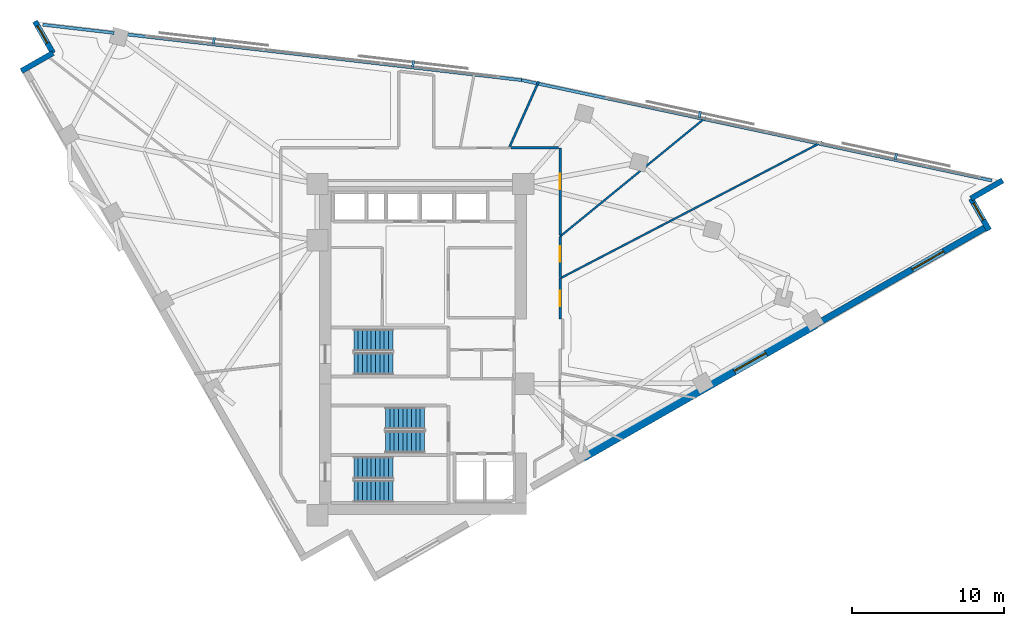
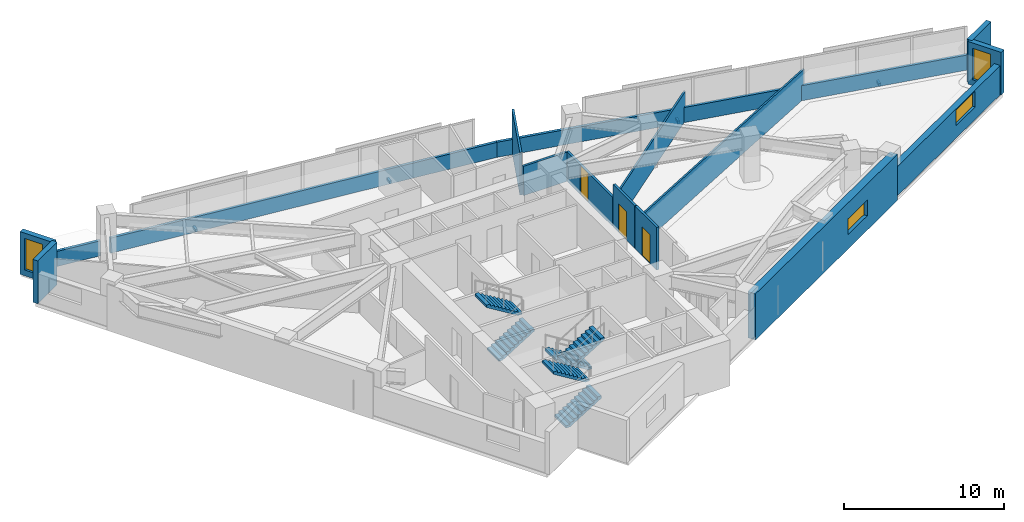
# One storey, part 11 of 13: 16 walls, 6 stair flights, 4 discrete accessories, 4 windows, 3 doors, 7 openings, 3 elements without a shape of their own.
"""IFC4 building model written with IfcOpenShell, lengths in metres."""

from ifc_helpers import new_model, si_unit, direction, frame, frame_2d, origin, origin_2d, place, context, subcontext, project, spatial, polyline, rectangle, outline, extrude, material, layer, layer_set, type_object, element, fill, aggregate, save


model = new_model("IFC4")

# Units and contexts
model_context = context("Model", 3, precision=1e-05, world=origin(), true_north=direction((0.0, 1.0)))
body_context = subcontext(model_context, "Body", "Model", "MODEL_VIEW")
ifc_project = project(units=[si_unit("LENGTHUNIT", "METRE"), si_unit("AREAUNIT", "SQUARE_METRE"), si_unit("VOLUMEUNIT", "CUBIC_METRE"), si_unit("PLANEANGLEUNIT", "RADIAN"), si_unit("MASSUNIT", "GRAM", prefix="KILO")], contexts=[model_context])

# Site, building, storey
site_placement = place(None, origin())
site = spatial("IfcSite", under=ifc_project, at=site_placement, CompositionType="ELEMENT")
building_placement = place(site_placement, origin())
building = spatial("IfcBuilding", under=site, at=building_placement, Name="Narakoshi Arena Tower", CompositionType="ELEMENT")
storey_placement = place(building_placement, frame((0.0, 0.0, 229.06005859375)))
storey = spatial("IfcBuildingStorey", under=building, at=storey_placement, Name="L62", CompositionType="ELEMENT", Elevation=229.06005859375)

# Wall, opening, door
ifc_material_1 = material(Name="Gypsum plasterboard fire-rated partition")
ifc_layer_1 = layer(ifc_material_1, 0.1650390625)
ifc_layer_set_1 = layer_set([ifc_layer_1], Name="Gypsum plasterboard fire-rated partition")
wall_type_1 = type_object("IfcWallType", Name="WL-CORR-165", PredefinedType="PARTITIONING", material=ifc_layer_set_1)
wall_1_placement = place(storey_placement, frame((87.976318359375, 47.6201171875, 0.0), z_axis=(0.0, 0.0, 1.0), x_axis=(0.0, 1.0, 0.0)))
wall_1 = element("IfcWall", 1, at=wall_1_placement, inside=storey, type_object=wall_type_1, Name="L62 Corridor Partition 03-1", PredefinedType="PARTITIONING", context=body_context, shape_type="SweptSolid", body=[
    extrude(rectangle(XDim=2.7001953125, YDim=0.1650390625, at=frame_2d((1.35009765625, 0.0))), origin(), (0.0, 0.0, 1.0), 3.260009765625),
])
opening_1_placement = place(wall_1_placement, frame((0.85009765625, 0.0, 0.0)))
opening_1 = element("IfcOpeningElement", 2, at=opening_1_placement, cuts=wall_1, Name="Opening D-06", PredefinedType="OPENING", context=body_context, shape_type="SweptSolid", body=[
    extrude(rectangle(XDim=1.0, YDim=2.199951171875, at=frame_2d((0.5, 1.10009765625))), frame((0.0, 0.092529296875, 0.0), z_axis=(0.0, -1.0, 0.0), x_axis=(1.0, 0.0, 0.0)), (0.0, 0.0, 1.0), 0.18505859375),
])
ifc_material_2 = material(Name="Stained oak solid-core timber", Category="wood")
door_type = type_object("IfcDoorType", Name="DR-OFF-1000", OperationType="NOTDEFINED", PredefinedType="DOOR", material=ifc_material_2)
door_1_placement = place(opening_1_placement, frame((1.0, 0.0, 0.0), z_axis=(0.0, 0.0, 1.0), x_axis=(-1.0, 0.0, 0.0)))
door_1 = element("IfcDoor", 3, at=door_1_placement, inside=storey, type_object=door_type, Name="DR-L62-017", OperationType="SINGLE_SWING_RIGHT", OverallHeight=2.199951171875, OverallWidth=1.0, PredefinedType="DOOR", context=body_context, shape_type="SweptSolid", body=[
    extrude(rectangle(XDim=1.0, YDim=2.199951171875, at=frame_2d((0.5, 1.10009765625))), frame((0.0, 0.02490234375, 0.0), z_axis=(0.0, -1.0, 0.0), x_axis=(1.0, 0.0, 0.0)), (0.0, 0.0, 1.0), 0.050048828125),
])
fill(opening_1, door_1)

wall_2_placement = place(storey_placement, frame((87.976318359375, 50.347412109375, 0.0), z_axis=(0.0, 0.0, 1.0), x_axis=(0.0, 1.0, 0.0)))
wall_2 = element("IfcWall", 4, at=wall_2_placement, inside=storey, type_object=wall_type_1, Name="L62 Corridor Partition 05-1", PredefinedType="PARTITIONING", context=body_context, shape_type="SweptSolid", body=[
    extrude(rectangle(XDim=2.7001953125, YDim=0.1650390625, at=frame_2d((1.35009765625, 0.0))), origin(), (0.0, 0.0, 1.0), 3.260009765625),
])
opening_2_placement = place(wall_2_placement, frame((1.045166015625, 0.0, 0.0)))
opening_2 = element("IfcOpeningElement", 5, at=opening_2_placement, cuts=wall_2, Name="Opening D-06", PredefinedType="OPENING", context=body_context, shape_type="SweptSolid", body=[
    extrude(rectangle(XDim=1.0, YDim=2.199951171875, at=frame_2d((0.5, 1.10009765625))), frame((0.0, 0.092529296875, 0.0), z_axis=(0.0, -1.0, 0.0), x_axis=(1.0, 0.0, 0.0)), (0.0, 0.0, 1.0), 0.18505859375),
])
door_2_placement = place(opening_2_placement, frame((1.0, 0.0, 0.0), z_axis=(0.0, 0.0, 1.0), x_axis=(-1.0, 0.0, 0.0)))
door_2 = element("IfcDoor", 6, at=door_2_placement, inside=storey, type_object=door_type, Name="DR-L62-019", OperationType="SINGLE_SWING_RIGHT", OverallHeight=2.199951171875, OverallWidth=1.0, PredefinedType="DOOR", context=body_context, shape_type="SweptSolid", body=[
    extrude(rectangle(XDim=1.0, YDim=2.199951171875, at=frame_2d((0.5, 1.10009765625))), frame((0.0, 0.02490234375, 0.0), z_axis=(0.0, -1.0, 0.0), x_axis=(1.0, 0.0, 0.0)), (0.0, 0.0, 1.0), 0.050048828125),
])
fill(opening_2, door_2)

wall_3_placement = place(storey_placement, frame((87.976318359375, 53.143798828125, 0.0), z_axis=(0.0, 0.0, 1.0), x_axis=(0.0, 1.0, 0.0)))
wall_3 = element("IfcWall", 7, at=wall_3_placement, inside=storey, type_object=wall_type_1, Name="L62 Corridor Partition 07-1", PredefinedType="PARTITIONING", context=body_context, shape_type="SweptSolid", body=[
    extrude(rectangle(XDim=5.732666015625, YDim=0.1650390625, at=frame_2d((2.8662109375, 0.0))), origin(), (0.0, 0.0, 1.0), 2.237060546875),
])
opening_3_placement = place(wall_3_placement, frame((3.01611328125, 0.0, 0.0)))
opening_3 = element("IfcOpeningElement", 8, at=opening_3_placement, cuts=wall_3, Name="Opening D-06", PredefinedType="OPENING", context=body_context, shape_type="SweptSolid", body=[
    extrude(rectangle(XDim=1.0, YDim=2.199951171875, at=frame_2d((0.5, 1.10009765625))), frame((0.0, 0.092529296875, 0.0), z_axis=(0.0, -1.0, 0.0), x_axis=(1.0, 0.0, 0.0)), (0.0, 0.0, 1.0), 0.18505859375),
])
door_3_placement = place(opening_3_placement, frame((1.0, 0.0, 0.0), z_axis=(0.0, 0.0, 1.0), x_axis=(-1.0, 0.0, 0.0)))
door_3 = element("IfcDoor", 9, at=door_3_placement, inside=storey, type_object=door_type, Name="DR-L62-021", OperationType="SINGLE_SWING_RIGHT", OverallHeight=2.199951171875, OverallWidth=1.0, PredefinedType="DOOR", context=body_context, shape_type="SweptSolid", body=[
    extrude(rectangle(XDim=1.0, YDim=2.199951171875, at=frame_2d((0.5, 1.10009765625))), frame((0.0, 0.02490234375, 0.0), z_axis=(0.0, -1.0, 0.0), x_axis=(1.0, 0.0, 0.0)), (0.0, 0.0, 1.0), 0.050048828125),
])
fill(opening_3, door_3)

# Wall
wall_4_placement = place(storey_placement, frame((87.8818359375, 58.87646484375, 0.0), z_axis=(0.0, 0.0, 1.0), x_axis=(-1.0, 0.0, 0.0)))
element("IfcWall", 10, at=wall_4_placement, inside=storey, type_object=wall_type_1, Name="L62 Corridor Partition 07-2", PredefinedType="PARTITIONING", context=body_context, shape_type="SweptSolid", body=[
    extrude(rectangle(XDim=3.135986328125, YDim=0.1650390625, at=frame_2d((1.56787109375, 0.0))), origin(), (0.0, 0.0, 1.0), 2.237060546875),
])

# Wall, opening, window
ifc_material_3 = material(Name="Concrete C50/60", Category="concrete")
ifc_layer_2 = layer(ifc_material_3, 0.550048828125)
ifc_layer_set_2 = layer_set([ifc_layer_2], Name="Concrete C50/60")
wall_type_2 = type_object("IfcWallType", Name="WL-LEG-550", PredefinedType="SHEAR", material=ifc_layer_set_2)
wall_5_placement = place(storey_placement, frame((89.479248046875, 38.4990234375, -0.260009765625), z_axis=(0.0, 0.0, 1.0), x_axis=(0.868197136736, 0.496219439123, 0.0)))
wall_5 = element("IfcWall", 11, at=wall_5_placement, inside=storey, type_object=wall_type_2, Name="L62 Architectural Concrete Structural Wall LEGA-3", PredefinedType="SHEAR", context=body_context, shape_type="SweptSolid", body=[
    extrude(rectangle(XDim=17.63623046875, YDim=0.550048828125, at=frame_2d((8.818115234375, 0.0))), origin(), (0.0, 0.0, 1.0), 3.52001953125),
])
opening_4_placement = place(wall_5_placement, frame((11.463623046875, 0.0, 1.10009765625)))
opening_4 = element("IfcOpeningElement", 12, at=opening_4_placement, cuts=wall_5, Name="Opening WN-04", PredefinedType="OPENING", context=body_context, shape_type="SweptSolid", body=[
    extrude(rectangle(XDim=2.39990234375, YDim=1.199951171875, at=frame_2d((1.199951171875, 0.60009765625))), frame((0.0, 0.284912109375, 0.0), z_axis=(0.0, -1.0, 0.0), x_axis=(1.0, 0.0, 0.0)), (0.0, 0.0, 1.0), 0.570068359375),
])
ifc_material_4 = material(Name="Bronze-tinted low-E laminated glass", Category="glass")
window_type_1 = type_object("IfcWindowType", Name="WIN-SLT-24x12", PartitioningType="SINGLE_PANEL", PredefinedType="WINDOW", material=ifc_material_4)
window_1_placement = place(opening_4_placement, origin())
window_1 = element("IfcWindow", 13, at=window_1_placement, inside=storey, type_object=window_type_1, Name="L62 LEGA3 Horizontal Slot Window 1", OverallHeight=1.199951171875, OverallWidth=2.39990234375, PartitioningType="SINGLE_PANEL", PredefinedType="WINDOW", context=body_context, shape_type="SweptSolid", body=[
    extrude(rectangle(XDim=2.39990234375, YDim=1.199951171875, at=frame_2d((1.199951171875, 0.60009765625))), frame((0.0, 0.030029296875, 0.0), z_axis=(0.0, -1.0, 0.0), x_axis=(1.0, 0.0, 0.0)), (0.0, 0.0, 1.0), 0.06005859375),
])
fill(opening_4, window_1)

# Walls
ifc_material_5 = material(Name="Precast concrete C45/55", Category="concrete")
ifc_layer_3 = layer(ifc_material_5, 0.25)
ifc_layer_set_3 = layer_set([ifc_layer_3], Name="Precast concrete C45/55")
wall_type_3 = type_object("IfcWallType", Name="WL-PARA-250", PredefinedType="PARAPET", material=ifc_layer_set_3)
wall_6_placement = place(storey_placement, frame((116.3955078125, 56.7216796875, 0.0), z_axis=(0.0, 0.0, 1.0), x_axis=(-0.977936620644, 0.208901809478, 0.0)))
element("IfcWall", 14, at=wall_6_placement, inside=storey, type_object=wall_type_3, Name="L62 Hypotenuse Sill Upstand Parapet 1-01", PredefinedType="PARAPET", context=body_context, shape_type="SweptSolid", body=[
    extrude(rectangle(XDim=31.685302734375, YDim=0.199951171875, at=frame_2d((15.8427734375, 0.0))), origin(), (0.0, 0.0, 1.0), 1.14990234375),
])
wall_7_placement = place(storey_placement, frame((85.42431640625, 63.33837890625, 0.0), z_axis=(0.0, 0.0, 1.0), x_axis=(-0.993364714048, 0.115006716693, 0.0)))
element("IfcWall", 15, at=wall_7_placement, inside=storey, type_object=wall_type_3, Name="L62 Hypotenuse Sill Upstand Parapet 2-01", PredefinedType="PARAPET", context=body_context, shape_type="SweptSolid", body=[
    extrude(rectangle(XDim=26.302001953125, YDim=0.199951171875, at=frame_2d((13.15087890625, 0.0))), origin(), (0.0, 0.0, 1.0), 1.14990234375),
])
wall_8_placement = place(storey_placement, frame((58.621826171875, 66.44140625, 0.0), z_axis=(0.0, 0.0, 1.0), x_axis=(-0.993362937665, 0.115022059074, 0.0)))
element("IfcWall", 16, at=wall_8_placement, inside=storey, type_object=wall_type_3, Name="L62 Hypotenuse Sill Upstand Parapet 2-02", PredefinedType="PARAPET", context=body_context, shape_type="SweptSolid", body=[
    extrude(rectangle(XDim=4.72705078125, YDim=0.199951171875, at=frame_2d((2.363525390625, 0.0))), origin(), (0.0, 0.0, 1.0), 1.14990234375),
])
ifc_layer_4 = layer(ifc_material_1, 0.125)
ifc_layer_set_4 = layer_set([ifc_layer_4], Name="Gypsum plasterboard fire-rated partition")
wall_type_4 = type_object("IfcWallType", Name="WL-PART-125", PredefinedType="PARTITIONING", material=ifc_layer_set_4)
wall_9_placement = place(storey_placement, frame((88.03955078125, 50.3203125, 0.0), z_axis=(0.0, 0.0, 1.0), x_axis=(0.886887733798, 0.461985008023, 0.0)))
element("IfcWall", 17, at=wall_9_placement, inside=storey, type_object=wall_type_4, Name="L62 Inter-Room Partition 03-05", PredefinedType="PARTITIONING", context=body_context, shape_type="SweptSolid", body=[
    extrude(rectangle(XDim=19.3759765625, YDim=0.125, at=frame_2d((9.68798828125, 0.0))), origin(), (0.0, 0.0, 1.0), 2.237060546875),
])
wall_10_placement = place(storey_placement, frame((87.976318359375, 53.047607421875, 0.0), z_axis=(0.0, 0.0, 1.0), x_axis=(0.774410079036, 0.632683988645, 0.0)))
element("IfcWall", 18, at=wall_10_placement, inside=storey, type_object=wall_type_4, Name="L62 Inter-Room Partition 05-07", PredefinedType="PARTITIONING", context=body_context, shape_type="SweptSolid", body=[
    extrude(rectangle(XDim=12.4150390625, YDim=0.125, at=frame_2d((6.20751953125, 0.0))), origin(), (0.0, 0.0, 1.0), 2.237060546875),
])

# Wall, opening, window
ifc_layer_5 = layer(ifc_material_5, 0.419921875)
ifc_layer_set_5 = layer_set([ifc_layer_5], Name="Precast concrete C45/55")
wall_type_5 = type_object("IfcWallType", Name="WL-POD-420", PredefinedType="SOLIDWALL", material=ifc_layer_set_5)
wall_11_placement = place(storey_placement, frame((104.791015625, 47.25048828125, 0.0), z_axis=(0.0, 0.0, 1.0), x_axis=(0.868193423982, 0.496225934987, 0.0)))
wall_11 = element("IfcWall", 19, at=wall_11_placement, inside=storey, type_object=wall_type_5, Name="L62 Architectural Concrete Facade Wall LEGA-4", PredefinedType="SOLIDWALL", context=body_context, shape_type="SweptSolid", body=[
    extrude(rectangle(XDim=12.9951171875, YDim=0.419921875, at=frame_2d((6.49755859375, 0.0))), origin(), (0.0, 0.0, 1.0), 2.237060546875),
])
opening_5_placement = place(wall_11_placement, frame((7.309814453125, 0.0, 0.95703125)))
opening_5 = element("IfcOpeningElement", 20, at=opening_5_placement, cuts=wall_11, Name="Opening WN-04", PredefinedType="OPENING", context=body_context, shape_type="SweptSolid", body=[
    extrude(rectangle(XDim=2.39990234375, YDim=1.199951171875, at=frame_2d((1.199951171875, 0.60009765625))), frame((0.0, 0.219970703125, 0.0), z_axis=(0.0, -1.0, 0.0), x_axis=(1.0, 0.0, 0.0)), (0.0, 0.0, 1.0), 0.43994140625),
])
window_2_placement = place(opening_5_placement, origin())
window_2 = element("IfcWindow", 21, at=window_2_placement, inside=storey, type_object=window_type_1, Name="L62 LEGA4 Horizontal Slot Window 1", OverallHeight=1.199951171875, OverallWidth=2.39990234375, PartitioningType="SINGLE_PANEL", PredefinedType="WINDOW", context=body_context, shape_type="SweptSolid", body=[
    extrude(rectangle(XDim=2.39990234375, YDim=1.199951171875, at=frame_2d((1.199951171875, 0.60009765625))), frame((0.0, 0.030029296875, 0.0), z_axis=(0.0, -1.0, 0.0), x_axis=(1.0, 0.0, 0.0)), (0.0, 0.0, 1.0), 0.06005859375),
])
fill(opening_5, window_2)

wall_12_placement = place(storey_placement, frame((116.209716796875, 53.460205078125, 0.0), z_axis=(0.0, 0.0, 1.0), x_axis=(-0.496215637313, 0.868199309655, 0.0)))
wall_12 = element("IfcWall", 22, at=wall_12_placement, inside=storey, type_object=wall_type_5, Name="L62 Re-Entrant Corner Notch Wall NTE-1", PredefinedType="SOLIDWALL", context=body_context, shape_type="SweptSolid", body=[
    extrude(rectangle(XDim=2.3994140625, YDim=0.360107421875, at=frame_2d((1.19970703125, 0.0))), origin(), (0.0, 0.0, 1.0), 3.260009765625),
])
opening_6_placement = place(wall_12_placement, frame((0.759765625, 0.0, 0.449951171875)))
opening_6 = element("IfcOpeningElement", 23, at=opening_6_placement, cuts=wall_12, Name="Opening WN-06", PredefinedType="OPENING", context=body_context, shape_type="SweptSolid", body=[
    extrude(rectangle(XDim=1.300048828125, YDim=2.39990234375, at=frame_2d((0.64990234375, 1.199951171875))), frame((0.0, 0.18994140625, 0.0), z_axis=(0.0, -1.0, 0.0), x_axis=(1.0, 0.0, 0.0)), (0.0, 0.0, 1.0), 0.380126953125),
])
window_type_2 = type_object("IfcWindowType", Name="WIN-NTC-16x24", PartitioningType="SINGLE_PANEL", PredefinedType="WINDOW", material=ifc_material_4)
window_3_placement = place(opening_6_placement, origin())
window_3 = element("IfcWindow", 24, at=window_3_placement, inside=storey, type_object=window_type_2, Name="L62 Corner Notch Window NTE", OverallHeight=2.39990234375, OverallWidth=1.300048828125, PartitioningType="SINGLE_PANEL", PredefinedType="WINDOW", context=body_context, shape_type="SweptSolid", body=[
    extrude(rectangle(XDim=1.300048828125, YDim=2.39990234375, at=frame_2d((0.64990234375, 1.199951171875))), frame((0.0, 0.030029296875, 0.0), z_axis=(0.0, -1.0, 0.0), x_axis=(1.0, 0.0, 0.0)), (0.0, 0.0, 1.0), 0.06005859375),
])
fill(opening_6, window_3)

# Wall
wall_13_placement = place(storey_placement, frame((115.01904296875, 55.54345703125, 0.0), z_axis=(0.0, 0.0, 1.0), x_axis=(0.86818053093, 0.4962484919, 0.0)))
element("IfcWall", 25, at=wall_13_placement, inside=storey, type_object=wall_type_5, Name="L62 Re-Entrant Corner Notch Wall NTE-2", PredefinedType="SOLIDWALL", context=body_context, shape_type="SweptSolid", body=[
    extrude(rectangle(XDim=2.39990234375, YDim=0.360107421875, at=frame_2d((1.199951171875, 0.0))), origin(), (0.0, 0.0, 1.0), 3.260009765625),
])

# Wall, opening, window
wall_14_placement = place(storey_placement, frame((53.408203125, 67.2060546875, 0.0), z_axis=(0.0, 0.0, 1.0), x_axis=(0.496292324652, -0.868155474838, 0.0)))
wall_14 = element("IfcWall", 26, at=wall_14_placement, inside=storey, type_object=wall_type_5, Name="L62 Re-Entrant Corner Notch Wall NTN-1", PredefinedType="SOLIDWALL", context=body_context, shape_type="SweptSolid", body=[
    extrude(rectangle(XDim=2.399658203125, YDim=0.360107421875, at=frame_2d((1.19970703125, 0.0))), origin(), (0.0, 0.0, 1.0), 3.260009765625),
])
opening_7_placement = place(wall_14_placement, frame((0.340087890625, 0.0, 0.449951171875)))
opening_7 = element("IfcOpeningElement", 27, at=opening_7_placement, cuts=wall_14, Name="Opening WN-06", PredefinedType="OPENING", context=body_context, shape_type="SweptSolid", body=[
    extrude(rectangle(XDim=1.300048828125, YDim=2.39990234375, at=frame_2d((0.64990234375, 1.199951171875))), frame((0.0, 0.18994140625, 0.0), z_axis=(0.0, -1.0, 0.0), x_axis=(1.0, 0.0, 0.0)), (0.0, 0.0, 1.0), 0.380126953125),
])
window_4_placement = place(opening_7_placement, origin())
window_4 = element("IfcWindow", 28, at=window_4_placement, inside=storey, type_object=window_type_2, Name="L62 Corner Notch Window NTN", OverallHeight=2.39990234375, OverallWidth=1.300048828125, PartitioningType="SINGLE_PANEL", PredefinedType="WINDOW", context=body_context, shape_type="SweptSolid", body=[
    extrude(rectangle(XDim=1.300048828125, YDim=2.39990234375, at=frame_2d((0.64990234375, 1.199951171875))), frame((0.0, 0.030029296875, 0.0), z_axis=(0.0, -1.0, 0.0), x_axis=(1.0, 0.0, 0.0)), (0.0, 0.0, 1.0), 0.06005859375),
])
fill(opening_7, window_4)

# Walls
wall_15_placement = place(storey_placement, frame((54.59912109375, 65.122802734375, 0.0), z_axis=(0.0, 0.0, 1.0), x_axis=(-0.86818053093, -0.4962484919, 0.0)))
element("IfcWall", 29, at=wall_15_placement, inside=storey, type_object=wall_type_5, Name="L62 Re-Entrant Corner Notch Wall NTN-2", PredefinedType="SOLIDWALL", context=body_context, shape_type="SweptSolid", body=[
    extrude(rectangle(XDim=2.39990234375, YDim=0.360107421875, at=frame_2d((1.199951171875, 0.0))), origin(), (0.0, 0.0, 1.0), 3.260009765625),
])
ifc_material_6 = material(Name="Moisture-resistant cement-board partition")
ifc_layer_6 = layer(ifc_material_6, 0.14501953125)
ifc_layer_set_6 = layer_set([ifc_layer_6], Name="Moisture-resistant cement-board partition")
wall_type_6 = type_object("IfcWallType", Name="WL-WET-145", PredefinedType="PARTITIONING", material=ifc_layer_set_6)
wall_16_placement = place(storey_placement, frame((86.571044921875, 63.256103515625, 0.0), z_axis=(0.0, 0.0, 1.0), x_axis=(-0.406936332394, -0.913456524077, 0.0)))
element("IfcWall", 30, at=wall_16_placement, inside=storey, type_object=wall_type_6, Name="L62 Inter-Room Partition 06-07", PredefinedType="PARTITIONING", context=body_context, shape_type="SweptSolid", body=[
    extrude(rectangle(XDim=4.7119140625, YDim=0.14501953125, at=frame_2d((2.35595703125, 0.0))), origin(), (0.0, 0.0, 1.0), 3.260009765625),
])

# Stair, stair flights
ifc_material_7 = material(Name="Concrete C45/55", Category="concrete")
stair_type = type_object("IfcStairType", Name="STR-CORE-352", PredefinedType="TWO_STRAIGHT_RUN_STAIR", material=ifc_material_7)
stair_1_placement = place(storey_placement, origin())
stair_1 = element("IfcStair", 31, at=stair_1_placement, inside=storey, type_object=stair_type, Name="L62 Core Escape Stair ST1", PredefinedType="TWO_STRAIGHT_RUN_STAIR")
stair_flight_type = type_object("IfcStairFlightType", Name="FLT-145-160", PredefinedType="STRAIGHT", material=ifc_material_5)
stair_flight_1_placement = place(storey_placement, frame((74.39990234375, 36.27490234375, 0.0), z_axis=(0.0, 0.0, 1.0), x_axis=(1.0, 0.0, 0.0)))
stair_flight_1 = element("IfcStairFlight", 32, at=stair_flight_1_placement, type_object=stair_flight_type, Name="ST1 flight 1", NumberOfRisers=10, NumberOfTreads=9, PredefinedType="STRAIGHT", RiserHeight=0.176, TreadLength=0.285, context=body_context, shape_type="SweptSolid", body=[
    extrude(outline(polyline([(0.0, 0.0), (0.0, 0.176025390625), (0.284912109375, 0.176025390625), (0.284912109375, 0.35205078125), (0.570068359375, 0.35205078125), (0.570068359375, 0.528076171875), (0.85498046875, 0.528076171875), (0.85498046875, 0.7041015625), (1.139892578125, 0.7041015625), (1.139892578125, 0.8798828125), (1.425048828125, 0.8798828125), (1.425048828125, 1.055908203125), (1.7099609375, 1.055908203125), (1.7099609375, 1.23193359375), (1.9951171875, 1.23193359375), (1.9951171875, 1.407958984375), (2.280029296875, 1.407958984375), (2.280029296875, 1.583984375), (2.56494140625, 1.583984375), (2.56494140625, 1.760009765625), (2.56494140625, 1.40771484375), (0.285400390625, 0.0), (0.0, 0.0)])), frame((0.0, 0.72509765625, 0.0), z_axis=(0.0, -1.0, 0.0), x_axis=(1.0, 0.0, 0.0)), (0.0, 0.0, 1.0), 1.449951171875),
])
stair_flight_2_placement = place(storey_placement, frame((76.965087890625, 37.824951171875, 1.760009765625), z_axis=(0.0, 0.0, 1.0), x_axis=(-1.0, 0.0, 0.0)))
stair_flight_2 = element("IfcStairFlight", 33, at=stair_flight_2_placement, type_object=stair_flight_type, Name="ST1 flight 2", NumberOfRisers=10, NumberOfTreads=9, PredefinedType="STRAIGHT", RiserHeight=0.176, TreadLength=0.285, context=body_context, shape_type="SweptSolid", body=[
    extrude(outline(polyline([(0.0, 0.0), (0.0, 0.176025390625), (0.284912109375, 0.176025390625), (0.284912109375, 0.35205078125), (0.570068359375, 0.35205078125), (0.570068359375, 0.528076171875), (0.85498046875, 0.528076171875), (0.85498046875, 0.7041015625), (1.139892578125, 0.7041015625), (1.139892578125, 0.8798828125), (1.425048828125, 0.8798828125), (1.425048828125, 1.055908203125), (1.7099609375, 1.055908203125), (1.7099609375, 1.23193359375), (1.9951171875, 1.23193359375), (1.9951171875, 1.407958984375), (2.280029296875, 1.407958984375), (2.280029296875, 1.583984375), (2.56494140625, 1.583984375), (2.56494140625, 1.760009765625), (2.56494140625, 1.40771484375), (0.285400390625, 0.0), (0.0, 0.0)])), frame((0.0, 0.72509765625, 0.0), z_axis=(0.0, -1.0, 0.0), x_axis=(1.0, 0.0, 0.0)), (0.0, 0.0, 1.0), 1.449951171875),
])
aggregate(stair_1, [stair_flight_1, stair_flight_2])

stair_2_placement = place(storey_placement, origin())
stair_2 = element("IfcStair", 34, at=stair_2_placement, inside=storey, type_object=stair_type, Name="L62 Core Escape Stair ST2", PredefinedType="TWO_STRAIGHT_RUN_STAIR")
stair_flight_3_placement = place(storey_placement, frame((79.050048828125, 41.074951171875, 0.0), z_axis=(0.0, 0.0, 1.0), x_axis=(-1.0, 0.0, 0.0)))
stair_flight_3 = element("IfcStairFlight", 35, at=stair_flight_3_placement, type_object=stair_flight_type, Name="ST2 flight 1", NumberOfRisers=10, NumberOfTreads=9, PredefinedType="STRAIGHT", RiserHeight=0.176, TreadLength=0.285, context=body_context, shape_type="SweptSolid", body=[
    extrude(outline(polyline([(0.0, 0.0), (0.0, 0.176025390625), (0.284912109375, 0.176025390625), (0.284912109375, 0.35205078125), (0.570068359375, 0.35205078125), (0.570068359375, 0.528076171875), (0.85498046875, 0.528076171875), (0.85498046875, 0.7041015625), (1.139892578125, 0.7041015625), (1.139892578125, 0.8798828125), (1.425048828125, 0.8798828125), (1.425048828125, 1.055908203125), (1.7099609375, 1.055908203125), (1.7099609375, 1.23193359375), (1.9951171875, 1.23193359375), (1.9951171875, 1.407958984375), (2.280029296875, 1.407958984375), (2.280029296875, 1.583984375), (2.56494140625, 1.583984375), (2.56494140625, 1.760009765625), (2.56494140625, 1.40771484375), (0.285400390625, 0.0), (0.0, 0.0)])), frame((0.0, 0.72509765625, 0.0), z_axis=(0.0, -1.0, 0.0), x_axis=(1.0, 0.0, 0.0)), (0.0, 0.0, 1.0), 1.449951171875),
])
stair_flight_4_placement = place(storey_placement, frame((76.485107421875, 39.52490234375, 1.760009765625), z_axis=(0.0, 0.0, 1.0), x_axis=(1.0, 0.0, 0.0)))
stair_flight_4 = element("IfcStairFlight", 36, at=stair_flight_4_placement, type_object=stair_flight_type, Name="ST2 flight 2", NumberOfRisers=10, NumberOfTreads=9, PredefinedType="STRAIGHT", RiserHeight=0.176, TreadLength=0.285, context=body_context, shape_type="SweptSolid", body=[
    extrude(outline(polyline([(0.0, 0.0), (0.0, 0.176025390625), (0.284912109375, 0.176025390625), (0.284912109375, 0.35205078125), (0.570068359375, 0.35205078125), (0.570068359375, 0.528076171875), (0.85498046875, 0.528076171875), (0.85498046875, 0.7041015625), (1.139892578125, 0.7041015625), (1.139892578125, 0.8798828125), (1.425048828125, 0.8798828125), (1.425048828125, 1.055908203125), (1.7099609375, 1.055908203125), (1.7099609375, 1.23193359375), (1.9951171875, 1.23193359375), (1.9951171875, 1.407958984375), (2.280029296875, 1.407958984375), (2.280029296875, 1.583984375), (2.56494140625, 1.583984375), (2.56494140625, 1.760009765625), (2.56494140625, 1.40771484375), (0.285400390625, 0.0), (0.0, 0.0)])), frame((0.0, 0.72509765625, 0.0), z_axis=(0.0, -1.0, 0.0), x_axis=(1.0, 0.0, 0.0)), (0.0, 0.0, 1.0), 1.449951171875),
])
aggregate(stair_2, [stair_flight_3, stair_flight_4])

stair_3_placement = place(storey_placement, origin())
stair_3 = element("IfcStair", 37, at=stair_3_placement, inside=storey, type_object=stair_type, Name="L62 Core Escape Stair ST3", PredefinedType="TWO_STRAIGHT_RUN_STAIR")
stair_flight_5_placement = place(storey_placement, frame((74.39990234375, 44.675048828125, 0.0), z_axis=(0.0, 0.0, 1.0), x_axis=(1.0, 0.0, 0.0)))
stair_flight_5 = element("IfcStairFlight", 38, at=stair_flight_5_placement, type_object=stair_flight_type, Name="ST3 flight 1", NumberOfRisers=10, NumberOfTreads=9, PredefinedType="STRAIGHT", RiserHeight=0.176, TreadLength=0.285, context=body_context, shape_type="SweptSolid", body=[
    extrude(outline(polyline([(0.0, 0.0), (0.0, 0.176025390625), (0.284912109375, 0.176025390625), (0.284912109375, 0.35205078125), (0.570068359375, 0.35205078125), (0.570068359375, 0.528076171875), (0.85498046875, 0.528076171875), (0.85498046875, 0.7041015625), (1.139892578125, 0.7041015625), (1.139892578125, 0.8798828125), (1.425048828125, 0.8798828125), (1.425048828125, 1.055908203125), (1.7099609375, 1.055908203125), (1.7099609375, 1.23193359375), (1.9951171875, 1.23193359375), (1.9951171875, 1.407958984375), (2.280029296875, 1.407958984375), (2.280029296875, 1.583984375), (2.56494140625, 1.583984375), (2.56494140625, 1.760009765625), (2.56494140625, 1.40771484375), (0.285400390625, 0.0), (0.0, 0.0)])), frame((0.0, 0.72509765625, 0.0), z_axis=(0.0, -1.0, 0.0), x_axis=(1.0, 0.0, 0.0)), (0.0, 0.0, 1.0), 1.449951171875),
])
stair_flight_6_placement = place(storey_placement, frame((76.965087890625, 46.22509765625, 1.760009765625), z_axis=(0.0, 0.0, 1.0), x_axis=(-1.0, 0.0, 0.0)))
stair_flight_6 = element("IfcStairFlight", 39, at=stair_flight_6_placement, type_object=stair_flight_type, Name="ST3 flight 2", NumberOfRisers=10, NumberOfTreads=9, PredefinedType="STRAIGHT", RiserHeight=0.176, TreadLength=0.285, context=body_context, shape_type="SweptSolid", body=[
    extrude(outline(polyline([(0.0, 0.0), (0.0, 0.176025390625), (0.284912109375, 0.176025390625), (0.284912109375, 0.35205078125), (0.570068359375, 0.35205078125), (0.570068359375, 0.528076171875), (0.85498046875, 0.528076171875), (0.85498046875, 0.7041015625), (1.139892578125, 0.7041015625), (1.139892578125, 0.8798828125), (1.425048828125, 0.8798828125), (1.425048828125, 1.055908203125), (1.7099609375, 1.055908203125), (1.7099609375, 1.23193359375), (1.9951171875, 1.23193359375), (1.9951171875, 1.407958984375), (2.280029296875, 1.407958984375), (2.280029296875, 1.583984375), (2.56494140625, 1.583984375), (2.56494140625, 1.760009765625), (2.56494140625, 1.40771484375), (0.285400390625, 0.0), (0.0, 0.0)])), frame((0.0, 0.72509765625, 0.0), z_axis=(0.0, -1.0, 0.0), x_axis=(1.0, 0.0, 0.0)), (0.0, 0.0, 1.0), 1.449951171875),
])
aggregate(stair_3, [stair_flight_5, stair_flight_6])

# Discrete accessories
ifc_material_8 = material(Name="Structural steel S355J2", Category="steel")
discrete_accessory_type = type_object("IfcDiscreteAccessoryType", Name="ACC-BRK-SCR", PredefinedType="BRACKET", material=ifc_material_8)
for number, where, z_axis, x_axis, name in (
    (40, (110.078125, 58.316650390625, -0.080078125), (0.0, 0.0, 1.0), (-0.977936632473, 0.208901754101, 0.0), "L62 Solar Screen Support Bracket SHD-L62-SCR1-1"),
    (41, (97.169189453125, 61.07421875, -0.080078125), (0.0, 0.0, 1.0), (-0.977936632473, 0.208901754101, 0.0), "L62 Solar Screen Support Bracket SHD-L62-SCR1-2"),
    (42, (78.2998046875, 64.40478515625, -0.080078125), (0.0, 0.0, 1.0), (-0.993364739053, 0.115006500715, 0.0), "L62 Solar Screen Support Bracket SHD-L62-SCR2-1"),
    (43, (65.187255859375, 65.9228515625, -0.080078125), (0.0, 0.0, 1.0), (-0.993364739053, 0.115006500715, 0.0), "L62 Solar Screen Support Bracket SHD-L62-SCR2-2"),
):
    element("IfcDiscreteAccessory", number, at=place(storey_placement, frame(where, z_axis=z_axis, x_axis=x_axis)), inside=storey, type_object=discrete_accessory_type, Name=name, PredefinedType="BRACKET", context=body_context, shape_type="SweptSolid", body=[
        extrude(rectangle(XDim=0.159912109375, YDim=0.43994140625, at=origin_2d()), origin(), (0.0, 0.0, 1.0), 0.199951171875),
    ])

save(model, "model.ifc")
